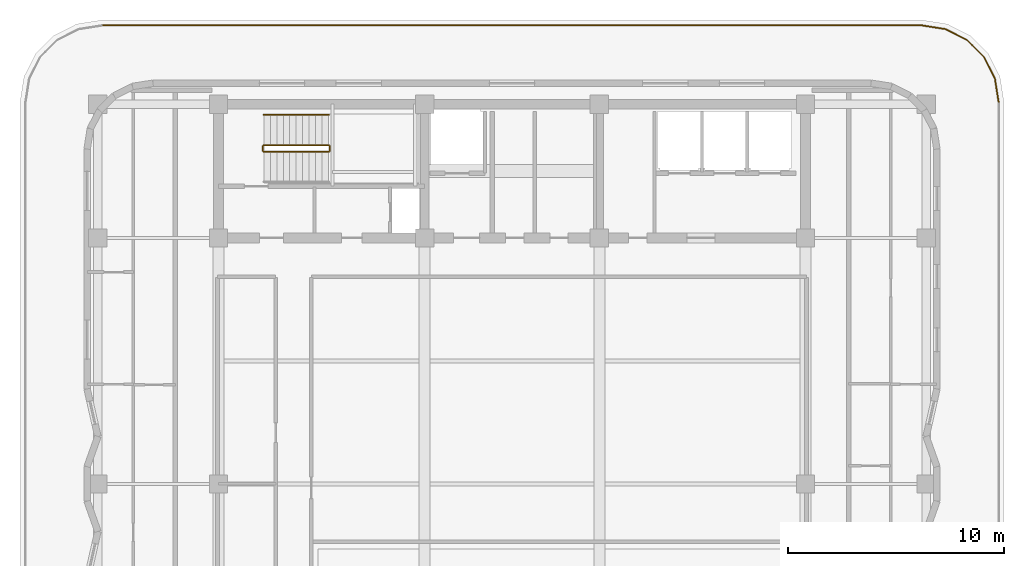
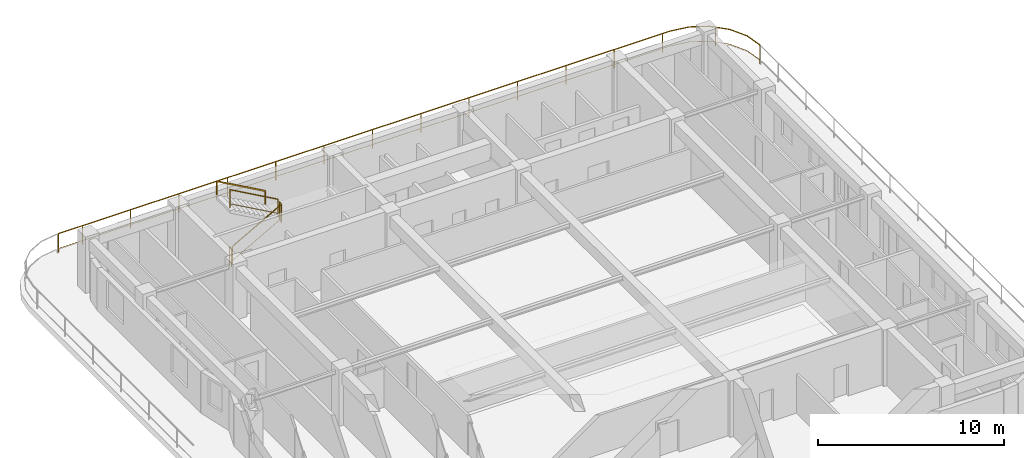
# One storey, part 9 of 9: 6 railings.
"""IFC4 building model written with IfcOpenShell, lengths in metres."""

from ifc_helpers import new_model, si_unit, direction, frame, origin, origin_2d, place, context, subcontext, project, spatial, rectangle, extrude, material, type_object, element, save


model = new_model("IFC4")

# Units and contexts
model_context = context("Model", 3, precision=1e-05, world=origin(), true_north=direction((0.0, 1.0)))
body_context = subcontext(model_context, "Body", "Model", "MODEL_VIEW")
ifc_project = project(units=[si_unit("LENGTHUNIT", "METRE"), si_unit("AREAUNIT", "SQUARE_METRE"), si_unit("VOLUMEUNIT", "CUBIC_METRE"), si_unit("PLANEANGLEUNIT", "RADIAN"), si_unit("MASSUNIT", "GRAM", prefix="KILO")], contexts=[model_context])

# Site, building, storey
site_placement = place(None, origin())
site = spatial("IfcSite", under=ifc_project, at=site_placement, CompositionType="ELEMENT")
building_placement = place(site_placement, origin())
building = spatial("IfcBuilding", under=site, at=building_placement, Name="Svetorya Sky Lyceum", CompositionType="ELEMENT")
storey_placement = place(building_placement, frame((0.0, 0.0, 225.800048828125)))
storey = spatial("IfcBuildingStorey", under=building, at=storey_placement, Name="L56", CompositionType="ELEMENT", Elevation=225.800048828125)

# Railings
ifc_material_1 = material(Name="Painted galvanized stair well guard")
railing_type_1 = type_object("IfcRailingType", Name="RL-STR-GUARD-1200", PredefinedType="GUARDRAIL", material=ifc_material_1)
railing_1_placement = place(storey_placement, frame((27.699951171875, 43.60009765625, 0.168212890625)))
element("IfcRailing", 1, at=railing_1_placement, inside=storey, type_object=railing_type_1, Name="L56 ST-N stair guard 1", PredefinedType="GUARDRAIL", context=body_context, shape_type="SweptSolid", body=[
    extrude(rectangle(XDim=0.048095703125, YDim=0.048095703125, at=origin_2d()), frame((0.0, 0.0, 1.17578125), z_axis=(0.872302573547, 0.0, 0.488966481656), x_axis=(0.0, 1.0, 0.0)), (0.0, 0.0, 1.0), 3.439208984375),
    extrude(rectangle(XDim=0.02392578125, YDim=0.02392578125, at=origin_2d()), frame((0.0, 0.0, 0.25), z_axis=(0.872302573547, 0.0, 0.488966481656), x_axis=(0.0, 1.0, 0.0)), (0.0, 0.0, 1.0), 3.439208984375),
    extrude(rectangle(XDim=0.0419921875, YDim=0.0419921875, at=origin_2d()), origin(), (0.0, 0.0, 1.0), 1.15185546875),
    extrude(rectangle(XDim=0.0419921875, YDim=0.0419921875, at=origin_2d()), frame((3.0, 0.0, 1.681640625)), (0.0, 0.0, 1.0), 1.15185546875),
])
railing_2_placement = place(storey_placement, frame((30.75, 43.64990234375, 1.849853515625)))
element("IfcRailing", 2, at=railing_2_placement, inside=storey, type_object=railing_type_1, Name="L56 ST-N stair guard 2", PredefinedType="GUARDRAIL", context=body_context, shape_type="SweptSolid", body=[
    extrude(rectangle(XDim=0.048095703125, YDim=0.048095703125, at=origin_2d()), frame((0.0, 0.0, 1.17578125), z_axis=(0.0, 1.0, 0.0), x_axis=(-1.0, 0.0, 0.0)), (0.0, 0.0, 1.0), 0.2001953125),
    extrude(rectangle(XDim=0.02392578125, YDim=0.02392578125, at=origin_2d()), frame((0.0, 0.0, 0.25), z_axis=(0.0, 1.0, 0.0), x_axis=(-1.0, 0.0, 0.0)), (0.0, 0.0, 1.0), 0.2001953125),
    extrude(rectangle(XDim=0.0419921875, YDim=0.0419921875, at=origin_2d()), origin(), (0.0, 0.0, 1.0), 1.15185546875),
    extrude(rectangle(XDim=0.0419921875, YDim=0.0419921875, at=origin_2d()), frame((0.0, 0.2001953125, 0.0)), (0.0, 0.0, 1.0), 1.15185546875),
])
railing_3_placement = place(storey_placement, frame((30.699951171875, 43.89990234375, 2.01806640625)))
element("IfcRailing", 3, at=railing_3_placement, inside=storey, type_object=railing_type_1, Name="L56 ST-N stair guard 3", PredefinedType="GUARDRAIL", context=body_context, shape_type="SweptSolid", body=[
    extrude(rectangle(XDim=0.048095703125, YDim=0.048095703125, at=origin_2d()), frame((0.0, 0.0, 1.17578125), z_axis=(-0.872272294576, 0.0, 0.489020494575), x_axis=(0.0, -1.0, 0.0)), (0.0, 0.0, 1.0), 3.439208984375),
    extrude(rectangle(XDim=0.02392578125, YDim=0.02392578125, at=origin_2d()), frame((0.0, 0.0, 0.25), z_axis=(-0.872272294576, 0.0, 0.489020494575), x_axis=(0.0, -1.0, 0.0)), (0.0, 0.0, 1.0), 3.439208984375),
    extrude(rectangle(XDim=0.0419921875, YDim=0.0419921875, at=origin_2d()), origin(), (0.0, 0.0, 1.0), 1.15185546875),
    extrude(rectangle(XDim=0.0419921875, YDim=0.0419921875, at=origin_2d()), frame((-3.0, 0.0, 1.681884765625)), (0.0, 0.0, 1.0), 1.15185546875),
])
railing_4_placement = place(storey_placement, frame((27.64990234375, 43.64990234375, 0.0)))
element("IfcRailing", 4, at=railing_4_placement, inside=storey, type_object=railing_type_1, Name="L56 ST-N stair guard 4", PredefinedType="GUARDRAIL", context=body_context, shape_type="SweptSolid", body=[
    extrude(rectangle(XDim=0.048095703125, YDim=0.048095703125, at=origin_2d()), frame((0.0, 0.0, 1.17578125), z_axis=(0.0, 1.0, 0.0), x_axis=(-1.0, 0.0, 0.0)), (0.0, 0.0, 1.0), 0.2001953125),
    extrude(rectangle(XDim=0.02392578125, YDim=0.02392578125, at=origin_2d()), frame((0.0, 0.0, 0.25), z_axis=(0.0, 1.0, 0.0), x_axis=(-1.0, 0.0, 0.0)), (0.0, 0.0, 1.0), 0.2001953125),
    extrude(rectangle(XDim=0.0419921875, YDim=0.0419921875, at=origin_2d()), origin(), (0.0, 0.0, 1.0), 1.15185546875),
    extrude(rectangle(XDim=0.0419921875, YDim=0.0419921875, at=origin_2d()), frame((0.0, 0.2001953125, 0.0)), (0.0, 0.0, 1.0), 1.15185546875),
])
ifc_material_2 = material(Name="Brushed stainless AISI 304 stair handrail")
railing_type_2 = type_object("IfcRailingType", Name="RL-STR-HAND-920", PredefinedType="HANDRAIL", material=ifc_material_2)
railing_5_placement = place(storey_placement, frame((30.699951171875, 45.300048828125, 2.01806640625)))
element("IfcRailing", 5, at=railing_5_placement, inside=storey, type_object=railing_type_2, Name="L56 ST-N stair handrail 2", PredefinedType="HANDRAIL", context=body_context, shape_type="SweptSolid", body=[
    extrude(rectangle(XDim=0.048095703125, YDim=0.048095703125, at=origin_2d()), frame((0.0, 0.0, 0.8759765625), z_axis=(-0.872272294576, 0.0, 0.489020494575), x_axis=(0.0, -1.0, 0.0)), (0.0, 0.0, 1.0), 3.439208984375),
    extrude(rectangle(XDim=0.0419921875, YDim=0.0419921875, at=origin_2d()), origin(), (0.0, 0.0, 1.0), 0.851806640625),
    extrude(rectangle(XDim=0.0419921875, YDim=0.0419921875, at=origin_2d()), frame((-3.0, 0.0, 1.681884765625)), (0.0, 0.0, 1.0), 0.851806640625),
])
ifc_material_3 = material(Name="Bronze-anodized aluminium terrace guard", Category="aluminium")
railing_type_3 = type_object("IfcRailingType", Name="RL-TER-1250", PredefinedType="GUARDRAIL", material=ifc_material_3)
railing_6_placement = place(storey_placement, frame((61.75, 45.89990234375, 0.0)))
element("IfcRailing", 6, at=railing_6_placement, inside=storey, type_object=railing_type_3, Name="L56 Setback Terrace Guard Quadrant 3", PredefinedType="GUARDRAIL", context=body_context, shape_type="SweptSolid", body=[
    extrude(rectangle(XDim=0.048095703125, YDim=0.048095703125, at=origin_2d()), frame((0.0, 0.0, 1.22607421875), z_axis=(-0.156267295296, 0.98771480318, 0.0), x_axis=(-0.98771480318, -0.156267295296, 0.0)), (0.0, 0.0, 1.0), 1.11083984375),
    extrude(rectangle(XDim=0.02392578125, YDim=0.02392578125, at=origin_2d()), frame((0.0, 0.0, 0.25), z_axis=(-0.156267295296, 0.98771480318, 0.0), x_axis=(-0.98771480318, -0.156267295296, 0.0)), (0.0, 0.0, 1.0), 1.11083984375),
    extrude(rectangle(XDim=0.048095703125, YDim=0.048095703125, at=origin_2d()), frame((-0.173583984375, 1.09716796875, 1.22607421875), z_axis=(-0.454146394371, 0.890927074726, 0.0), x_axis=(-0.890927074726, -0.454146394371, 0.0)), (0.0, 0.0, 1.0), 1.110595703125),
    extrude(rectangle(XDim=0.02392578125, YDim=0.02392578125, at=origin_2d()), frame((-0.173583984375, 1.09716796875, 0.25), z_axis=(-0.454146394371, 0.890927074726, 0.0), x_axis=(-0.890927074726, -0.454146394371, 0.0)), (0.0, 0.0, 1.0), 1.110595703125),
    extrude(rectangle(XDim=0.048095703125, YDim=0.048095703125, at=origin_2d()), frame((-0.677978515625, 2.086669921875, 1.22607421875), z_axis=(-0.707106781187, 0.707106781187, 0.0), x_axis=(-0.707106781187, -0.707106781187, 0.0)), (0.0, 0.0, 1.0), 1.11083984375),
    extrude(rectangle(XDim=0.02392578125, YDim=0.02392578125, at=origin_2d()), frame((-0.677978515625, 2.086669921875, 0.25), z_axis=(-0.707106781187, 0.707106781187, 0.0), x_axis=(-0.707106781187, -0.707106781187, 0.0)), (0.0, 0.0, 1.0), 1.11083984375),
    extrude(rectangle(XDim=0.048095703125, YDim=0.048095703125, at=origin_2d()), frame((-1.46337890625, 2.8720703125, 1.22607421875), z_axis=(-0.890927074726, 0.454146394371, 0.0), x_axis=(-0.454146394371, -0.890927074726, 0.0)), (0.0, 0.0, 1.0), 1.110595703125),
    extrude(rectangle(XDim=0.02392578125, YDim=0.02392578125, at=origin_2d()), frame((-1.46337890625, 2.8720703125, 0.25), z_axis=(-0.890927074726, 0.454146394371, 0.0), x_axis=(-0.454146394371, -0.890927074726, 0.0)), (0.0, 0.0, 1.0), 1.110595703125),
    extrude(rectangle(XDim=0.048095703125, YDim=0.048095703125, at=origin_2d()), frame((-2.452880859375, 3.37646484375, 1.22607421875), z_axis=(-0.98771480318, 0.156267295296, 0.0), x_axis=(-0.156267295296, -0.98771480318, 0.0)), (0.0, 0.0, 1.0), 1.11083984375),
    extrude(rectangle(XDim=0.02392578125, YDim=0.02392578125, at=origin_2d()), frame((-2.452880859375, 3.37646484375, 0.25), z_axis=(-0.98771480318, 0.156267295296, 0.0), x_axis=(-0.156267295296, -0.98771480318, 0.0)), (0.0, 0.0, 1.0), 1.11083984375),
    extrude(rectangle(XDim=0.048095703125, YDim=0.048095703125, at=origin_2d()), frame((-3.550048828125, 3.550048828125, 1.22607421875), z_axis=(-1.0, 0.0, 0.0), x_axis=(0.0, -1.0, 0.0)), (0.0, 0.0, 1.0), 37.93994140625),
    extrude(rectangle(XDim=0.02392578125, YDim=0.02392578125, at=origin_2d()), frame((-3.550048828125, 3.550048828125, 0.25), z_axis=(-1.0, 0.0, 0.0), x_axis=(0.0, -1.0, 0.0)), (0.0, 0.0, 1.0), 37.93994140625),
    extrude(rectangle(XDim=0.0419921875, YDim=0.0419921875, at=origin_2d()), origin(), (0.0, 0.0, 1.0), 1.201904296875),
    extrude(rectangle(XDim=0.0419921875, YDim=0.0419921875, at=origin_2d()), frame((-1.228515625, 2.63720703125, 0.0)), (0.0, 0.0, 1.0), 1.201904296875),
    extrude(rectangle(XDim=0.0419921875, YDim=0.0419921875, at=origin_2d()), frame((-3.996337890625, 3.550048828125, 0.0)), (0.0, 0.0, 1.0), 1.201904296875),
    extrude(rectangle(XDim=0.0419921875, YDim=0.0419921875, at=origin_2d()), frame((-6.996337890625, 3.550048828125, 0.0)), (0.0, 0.0, 1.0), 1.201904296875),
    extrude(rectangle(XDim=0.0419921875, YDim=0.0419921875, at=origin_2d()), frame((-9.996337890625, 3.550048828125, 0.0)), (0.0, 0.0, 1.0), 1.201904296875),
    extrude(rectangle(XDim=0.0419921875, YDim=0.0419921875, at=origin_2d()), frame((-12.996337890625, 3.550048828125, 0.0)), (0.0, 0.0, 1.0), 1.201904296875),
    extrude(rectangle(XDim=0.0419921875, YDim=0.0419921875, at=origin_2d()), frame((-15.996337890625, 3.550048828125, 0.0)), (0.0, 0.0, 1.0), 1.201904296875),
    extrude(rectangle(XDim=0.0419921875, YDim=0.0419921875, at=origin_2d()), frame((-18.996337890625, 3.550048828125, 0.0)), (0.0, 0.0, 1.0), 1.201904296875),
    extrude(rectangle(XDim=0.0419921875, YDim=0.0419921875, at=origin_2d()), frame((-21.996337890625, 3.550048828125, 0.0)), (0.0, 0.0, 1.0), 1.201904296875),
    extrude(rectangle(XDim=0.0419921875, YDim=0.0419921875, at=origin_2d()), frame((-24.996337890625, 3.550048828125, 0.0)), (0.0, 0.0, 1.0), 1.201904296875),
    extrude(rectangle(XDim=0.0419921875, YDim=0.0419921875, at=origin_2d()), frame((-27.996337890625, 3.550048828125, 0.0)), (0.0, 0.0, 1.0), 1.201904296875),
    extrude(rectangle(XDim=0.0419921875, YDim=0.0419921875, at=origin_2d()), frame((-30.996337890625, 3.550048828125, 0.0)), (0.0, 0.0, 1.0), 1.201904296875),
    extrude(rectangle(XDim=0.0419921875, YDim=0.0419921875, at=origin_2d()), frame((-33.996337890625, 3.550048828125, 0.0)), (0.0, 0.0, 1.0), 1.201904296875),
    extrude(rectangle(XDim=0.0419921875, YDim=0.0419921875, at=origin_2d()), frame((-36.996337890625, 3.550048828125, 0.0)), (0.0, 0.0, 1.0), 1.201904296875),
    extrude(rectangle(XDim=0.0419921875, YDim=0.0419921875, at=origin_2d()), frame((-39.996337890625, 3.550048828125, 0.0)), (0.0, 0.0, 1.0), 1.201904296875),
    extrude(rectangle(XDim=0.0419921875, YDim=0.0419921875, at=origin_2d()), frame((-41.489990234375, 3.550048828125, 0.0)), (0.0, 0.0, 1.0), 1.201904296875),
])

save(model, "model.ifc")
